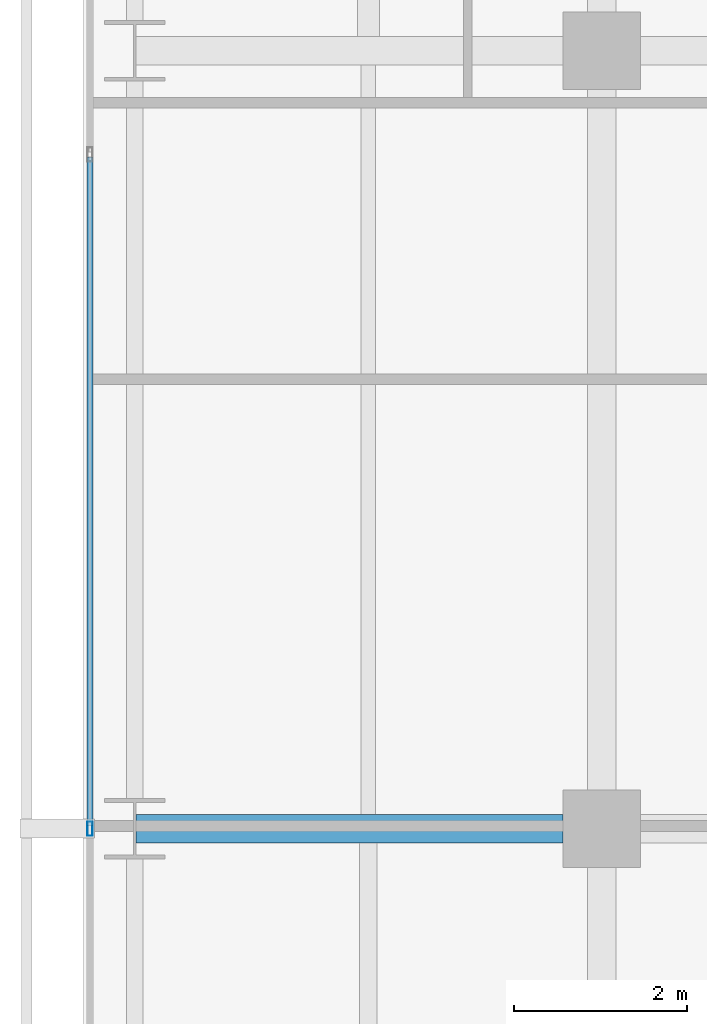
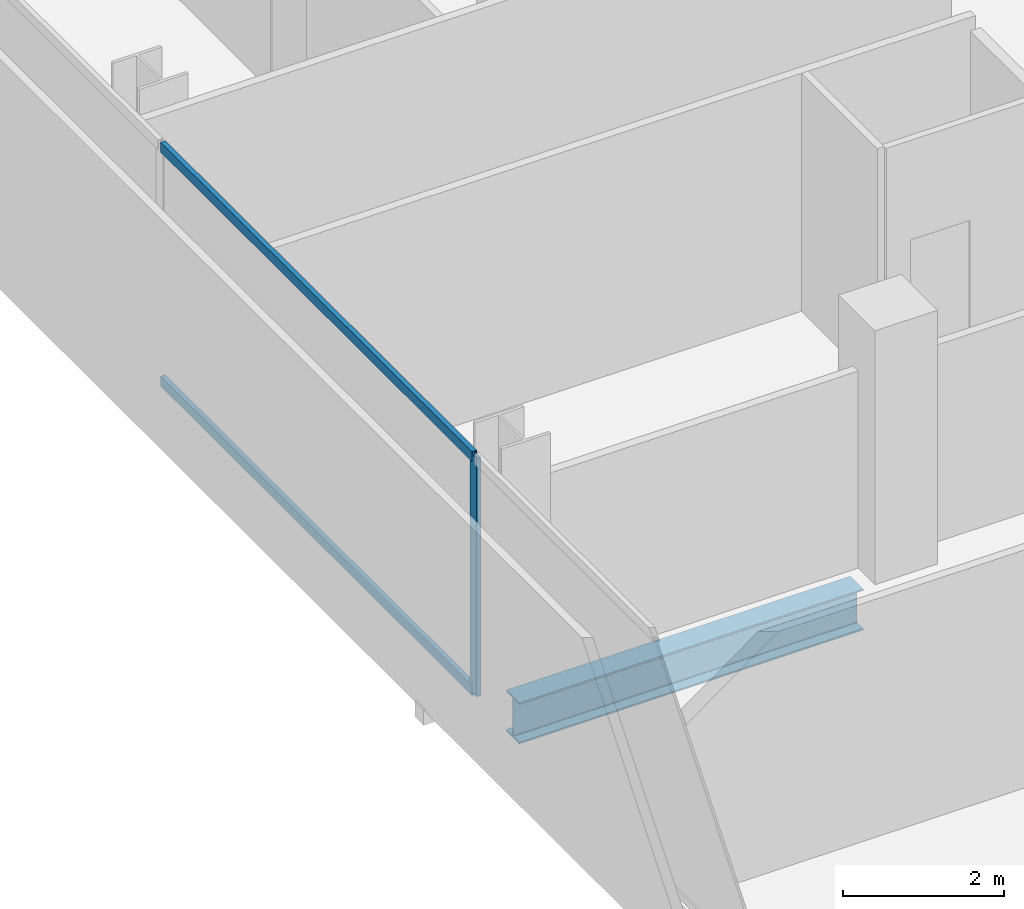
# One storey, part 12 of 40: 3 members, 1 beam, 1 element without a shape of its own.
"""IFC4 building model written with IfcOpenShell, lengths in metres."""

from ifc_helpers import new_model, si_unit, direction, frame, origin, origin_2d, place, context, subcontext, project, spatial, hollow_rectangle, i_section, extrude, material, layer, layer_set, material_profile, profile_set, type_object, element, aggregate, save


model = new_model("IFC4")

# Units and contexts
model_context = context("Model", 3, precision=1e-05, world=origin(), true_north=direction((0.0, 1.0)))
body_context = subcontext(model_context, "Body", "Model", "MODEL_VIEW")
ifc_project = project(units=[si_unit("LENGTHUNIT", "METRE"), si_unit("AREAUNIT", "SQUARE_METRE"), si_unit("VOLUMEUNIT", "CUBIC_METRE"), si_unit("PLANEANGLEUNIT", "RADIAN"), si_unit("MASSUNIT", "GRAM", prefix="KILO")], contexts=[model_context])

# Site, building, storey
site_placement = place(None, origin())
site = spatial("IfcSite", under=ifc_project, at=site_placement, CompositionType="ELEMENT")
building_placement = place(site_placement, origin())
building = spatial("IfcBuilding", under=site, at=building_placement, Name="Maruvema Waterfront Hotel and Observation Tower", CompositionType="ELEMENT")
storey_placement = place(building_placement, frame((0.0, 0.0, 42.35009765625)))
storey = spatial("IfcBuildingStorey", under=building, at=storey_placement, Name="L09", CompositionType="ELEMENT", Elevation=42.35009765625)

# Curtain wall, members
ifc_material_1 = material(Name="Anodised bronze aluminium and solar-control low-E IGU", Category="aluminium")
ifc_layer = layer(ifc_material_1, 0.159912109375, Name="Zone 1 Bronze Inner Thermal Curtain Wall System CW-02")
ifc_layer_set = layer_set([ifc_layer], Name="Anodised bronze aluminium and solar-control low-E IGU")
curtain_wall_type = type_object("IfcCurtainWallType", Name="Zone 1 Bronze Inner Thermal Curtain Wall System CW-02", PredefinedType="USERDEFINED", material=ifc_layer_set)
curtain_wall_placement = place(storey_placement, origin())
curtain_wall = element("IfcCurtainWall", 1, at=curtain_wall_placement, inside=storey, type_object=curtain_wall_type, Name="L09 Curtain Wall CW-L09-W", ObjectType="UNITISED CURTAIN WALL", PredefinedType="USERDEFINED")
ifc_material_2 = material(Name="Anodised architectural bronze aluminium", Category="aluminium")
ifc_material_profile_1 = material_profile(ifc_material_2, hollow_rectangle(XDim=0.070068359375, YDim=0.14990234375, WallThickness=0.00390625, at=origin_2d()), Name="ALU-T70x150")
ifc_profile_set_1 = profile_set([ifc_material_profile_1], Name="Anodised architectural bronze aluminium")
member_type_1 = type_object("IfcMemberType", Name="Curtain Wall Horizontal Transom ALU-T70x150", PredefinedType="USERDEFINED", material=ifc_profile_set_1)
member_1_placement = place(storey_placement, frame((10.8798828125, 34.77001953125, 0.02978515625), z_axis=(0.0, -1.0, 0.0), x_axis=(1.0, 0.0, 0.0)))
member_1 = element("IfcMember", 2, at=member_1_placement, type_object=member_type_1, Name="CW-02 transom 3.1", ObjectType="TRANSOM", PredefinedType="USERDEFINED", context=body_context, shape_type="SweptSolid", body=[
    extrude(hollow_rectangle(XDim=0.070068359375, YDim=0.14990234375, WallThickness=0.00390625, at=origin_2d()), origin(), (0.0, 0.0, 1.0), 7.739990234375),
])
member_2_placement = place(storey_placement, frame((10.8798828125, 34.77001953125, 3.579833984375), z_axis=(0.0, -1.0, 0.0), x_axis=(1.0, 0.0, 0.0)))
member_2 = element("IfcMember", 3, at=member_2_placement, type_object=member_type_1, Name="CW-02 transom 3.2", ObjectType="TRANSOM", PredefinedType="USERDEFINED", context=body_context, shape_type="SweptSolid", body=[
    extrude(hollow_rectangle(XDim=0.070068359375, YDim=0.14990234375, WallThickness=0.00390625, at=origin_2d()), origin(), (0.0, 0.0, 1.0), 7.739990234375),
])
ifc_material_3 = material(Name="Anodised architectural bronze aluminium", Category="aluminium")
ifc_material_profile_2 = material_profile(ifc_material_3, hollow_rectangle(XDim=0.06494140625, YDim=0.1650390625, WallThickness=0.00390625, at=origin_2d()), Name="ALU-M65x165")
ifc_profile_set_2 = profile_set([ifc_material_profile_2], Name="Anodised architectural bronze aluminium")
member_type_2 = type_object("IfcMemberType", Name="Curtain Wall Primary Mullion ALU-M65x165", PredefinedType="MULLION", material=ifc_profile_set_2)
member_3_placement = place(storey_placement, frame((10.8798828125, 27.0, 0.0), z_axis=(0.0, 0.0, 1.0), x_axis=(1.0, 0.0, 0.0)))
member_3 = element("IfcMember", 4, at=member_3_placement, type_object=member_type_2, Name="CW-02 mullion 4", PredefinedType="MULLION", context=body_context, shape_type="SweptSolid", body=[
    extrude(hollow_rectangle(XDim=0.06494140625, YDim=0.1650390625, WallThickness=0.00390625, at=origin_2d()), origin(), (0.0, 0.0, 1.0), 3.60986328125),
])
aggregate(curtain_wall, [member_3, member_1, member_2])

# Beam
ifc_material_4 = material(Name="Steel ASTM A572 Grade 50", Category="steel")
ifc_material_profile_3 = material_profile(ifc_material_4, i_section(OverallWidth=0.326904296875, OverallDepth=0.6220703125, WebThickness=0.015380859375, FlangeThickness=0.0244140625, FilletRadius=0.01806640625, at=origin_2d()), Name="W610x195.0")
ifc_profile_set_3 = profile_set([ifc_material_profile_3], Name="Steel ASTM A572 Grade 50")
beam_type = type_object("IfcBeamType", Name="Primary Floor Girder W610x195.0", PredefinedType="BEAM", material=ifc_profile_set_3)
beam_placement = place(storey_placement, frame((11.4140625, 27.0, -0.551025390625), z_axis=(1.0, 0.0, 0.0), x_axis=(0.0, 1.0, 0.0)))
element("IfcBeam", 5, at=beam_placement, inside=storey, type_object=beam_type, Name="L09 Floor Girder EW-20", PredefinedType="BEAM", context=body_context, shape_type="SweptSolid", body=[
    extrude(i_section(OverallWidth=0.326904296875, OverallDepth=0.6220703125, WebThickness=0.015380859375, FlangeThickness=0.0244140625, FilletRadius=0.01806640625, at=origin_2d()), origin(), (0.0, 0.0, 1.0), 4.93603515625),
])

save(model, "model.ifc")
